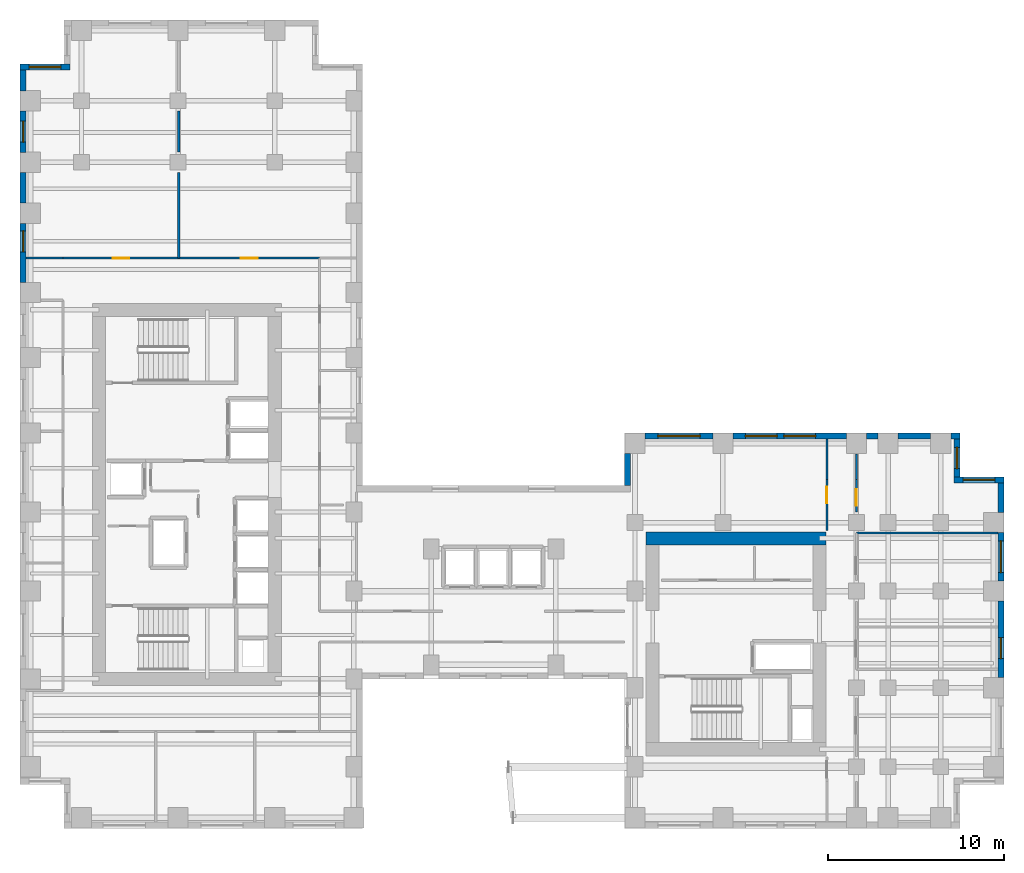
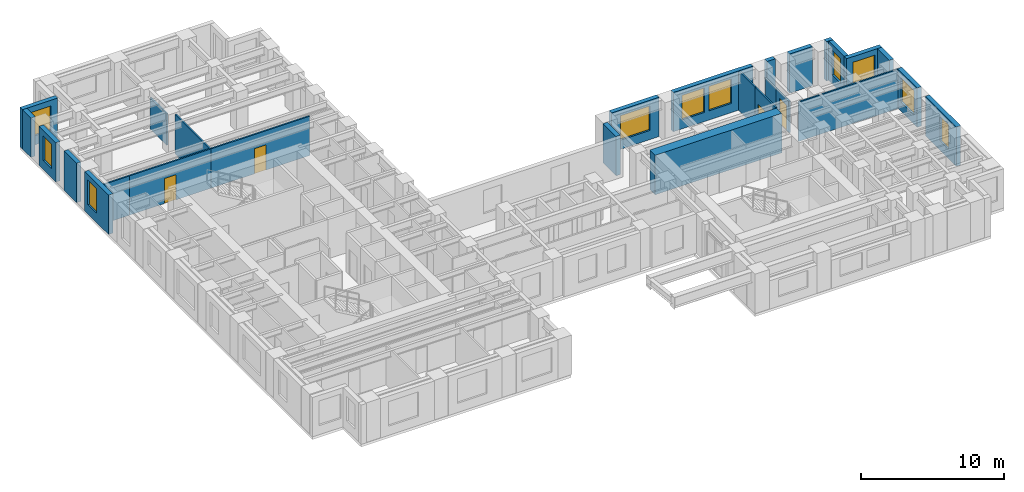
# One storey, part 11 of 14: 27 walls, 10 windows, 4 doors, 14 openings.
"""IFC4 building model written with IfcOpenShell, lengths in metres."""

from ifc_helpers import new_model, si_unit, direction, frame, frame_2d, origin, place, context, subcontext, project, spatial, rectangle, extrude, source, transform, mapped, material, layer, layer_set, type_object, element, fill, save


model = new_model("IFC4")

# Units and contexts
model_context = context("Model", 3, precision=1e-05, world=origin(), true_north=direction((0.0, 1.0)))
body_context = subcontext(model_context, "Body", "Model", "MODEL_VIEW")
ifc_project = project(units=[si_unit("LENGTHUNIT", "METRE"), si_unit("AREAUNIT", "SQUARE_METRE"), si_unit("VOLUMEUNIT", "CUBIC_METRE"), si_unit("PLANEANGLEUNIT", "RADIAN"), si_unit("MASSUNIT", "GRAM", prefix="KILO")], contexts=[model_context])

# Site, building, storey
site_placement = place(None, origin())
site = spatial("IfcSite", under=ifc_project, at=site_placement, CompositionType="ELEMENT")
building_placement = place(site_placement, origin())
building = spatial("IfcBuilding", under=site, at=building_placement, Name="Kharzan Plaza Tower", CompositionType="ELEMENT")
storey_placement = place(building_placement, frame((0.0, 0.0, 131.39990234375)))
storey = spatial("IfcBuildingStorey", under=building, at=storey_placement, Name="L35", CompositionType="ELEMENT", Elevation=131.39990234375)

# Wall, opening, window
ifc_material_1 = material(Name="Concrete C40/50", Category="concrete")
ifc_layer_1 = layer(ifc_material_1, 0.35009765625)
ifc_layer_set_1 = layer_set([ifc_layer_1], Name="Concrete C40/50")
wall_type_1 = type_object("IfcWallType", Name="WL-EXT-MAS-Z2", PredefinedType="SOLIDWALL", material=ifc_layer_set_1)
wall_1_placement = place(storey_placement, frame((2.85009765625, 43.324951171875, 0.0), z_axis=(0.0, 0.0, 1.0), x_axis=(-1.0, 0.0, 0.0)))
wall_1 = element("IfcWall", 1, at=wall_1_placement, inside=storey, type_object=wall_type_1, Name="L35 Masonry-Frame Exterior Wall 15", PredefinedType="SOLIDWALL", context=body_context, shape_type="SweptSolid", body=[
    extrude(rectangle(XDim=2.85009765625, YDim=0.35009765625, at=frame_2d((1.425048828125, 0.0))), origin(), (0.0, 0.0, 1.0), 3.364990234375),
])
opening_1_placement = place(wall_1_placement, frame((0.52490234375, 0.0, 0.780029296875)))
opening_1 = element("IfcOpeningElement", 2, at=opening_1_placement, cuts=wall_1, Name="Opening W1", PredefinedType="OPENING", context=body_context, shape_type="SweptSolid", body=[
    extrude(rectangle(XDim=1.800048828125, YDim=2.10009765625, at=frame_2d((0.89990234375, 1.050048828125))), frame((0.0, 0.18505859375, 0.0), z_axis=(0.0, -1.0, 0.0), x_axis=(1.0, 0.0, 0.0)), (0.0, 0.0, 1.0), 0.3701171875),
])
ifc_material_2 = material(Name="Low-E Double Glazing", Category="glass")
window_type_1 = type_object("IfcWindowType", Name="WN-REC-1800x2100", PartitioningType="SINGLE_PANEL", PredefinedType="WINDOW", material=ifc_material_2)
shared_shape_1 = source(origin(), body_context, "Body", "SweptSolid", [
    extrude(rectangle(XDim=1.800048828125, YDim=2.10009765625, at=frame_2d((0.89990234375, 1.050048828125))), frame((0.0, 0.030029296875, 0.0), z_axis=(0.0, -1.0, 0.0), x_axis=(1.0, 0.0, 0.0)), (0.0, 0.0, 1.0), 0.06005859375),
])
window_1_placement = place(opening_1_placement, origin())
window_1 = element("IfcWindow", 3, at=window_1_placement, inside=storey, type_object=window_type_1, Name="L35 Recessed Solar-Control Window 15-1", OverallHeight=2.10009765625, OverallWidth=1.800048828125, PartitioningType="SINGLE_PANEL", PredefinedType="WINDOW", context=body_context, shape_type="MappedRepresentation", body=[
    mapped(shared_shape_1, transform((0.0, 0.0, 0.0), x_axis=(1.0, 0.0, 0.0), y_axis=(0.0, 1.0, 0.0), z_axis=(0.0, 0.0, 1.0))),
])
fill(opening_1, window_1)

wall_2_placement = place(storey_placement, frame((0.175048828125, 40.826904296875, 0.0), z_axis=(0.0, 0.0, 1.0), x_axis=(0.0, -1.0, 0.0)))
wall_2 = element("IfcWall", 4, at=wall_2_placement, inside=storey, type_object=wall_type_1, Name="L35 Masonry-Frame Exterior Wall 17", PredefinedType="SOLIDWALL", context=body_context, shape_type="SweptSolid", body=[
    extrude(rectangle(XDim=2.35400390625, YDim=0.35009765625, at=frame_2d((1.177001953125, 0.0))), origin(), (0.0, 0.0, 1.0), 3.364990234375),
])
opening_2_placement = place(wall_2_placement, frame((0.576904296875, 0.0, 0.780029296875)))
opening_2 = element("IfcOpeningElement", 5, at=opening_2_placement, cuts=wall_2, Name="Opening W3", PredefinedType="OPENING", context=body_context, shape_type="SweptSolid", body=[
    extrude(rectangle(XDim=1.199951171875, YDim=2.10009765625, at=frame_2d((0.60009765625, 1.050048828125))), frame((0.0, 0.18505859375, 0.0), z_axis=(0.0, -1.0, 0.0), x_axis=(1.0, 0.0, 0.0)), (0.0, 0.0, 1.0), 0.3701171875),
])
window_type_2 = type_object("IfcWindowType", Name="WN-REC-1200x2100", PartitioningType="SINGLE_PANEL", PredefinedType="WINDOW", material=ifc_material_2)
shared_shape_2 = source(origin(), body_context, "Body", "SweptSolid", [
    extrude(rectangle(XDim=1.199951171875, YDim=2.10009765625, at=frame_2d((0.60009765625, 1.050048828125))), frame((0.0, 0.030029296875, 0.0), z_axis=(0.0, -1.0, 0.0), x_axis=(1.0, 0.0, 0.0)), (0.0, 0.0, 1.0), 0.06005859375),
])
window_2_placement = place(opening_2_placement, origin())
window_2 = element("IfcWindow", 6, at=window_2_placement, inside=storey, type_object=window_type_2, Name="L35 Recessed Solar-Control Window 17-1", OverallHeight=2.10009765625, OverallWidth=1.199951171875, PartitioningType="SINGLE_PANEL", PredefinedType="WINDOW", context=body_context, shape_type="MappedRepresentation", body=[
    mapped(shared_shape_2, transform((0.0, 0.0, 0.0), x_axis=(1.0, 0.0, 0.0), y_axis=(0.0, 1.0, 0.0), z_axis=(0.0, 0.0, 1.0))),
])
fill(opening_2, window_2)

wall_3_placement = place(storey_placement, frame((0.175048828125, 34.427001953125, 0.0), z_axis=(0.0, 0.0, 1.0), x_axis=(0.0, -1.0, 0.0)))
wall_3 = element("IfcWall", 7, at=wall_3_placement, inside=storey, type_object=wall_type_1, Name="L35 Masonry-Frame Exterior Wall 19", PredefinedType="SOLIDWALL", context=body_context, shape_type="SweptSolid", body=[
    extrude(rectangle(XDim=3.35400390625, YDim=0.35009765625, at=frame_2d((1.677001953125, 0.0))), origin(), (0.0, 0.0, 1.0), 3.364990234375),
])
opening_3_placement = place(wall_3_placement, frame((0.423583984375, 0.0, 0.780029296875)))
opening_3 = element("IfcOpeningElement", 8, at=opening_3_placement, cuts=wall_3, Name="Opening W3", PredefinedType="OPENING", context=body_context, shape_type="SweptSolid", body=[
    extrude(rectangle(XDim=1.199951171875, YDim=2.10009765625, at=frame_2d((0.60009765625, 1.050048828125))), frame((0.0, 0.18505859375, 0.0), z_axis=(0.0, -1.0, 0.0), x_axis=(1.0, 0.0, 0.0)), (0.0, 0.0, 1.0), 0.3701171875),
])
window_3_placement = place(opening_3_placement, origin())
window_3 = element("IfcWindow", 9, at=window_3_placement, inside=storey, type_object=window_type_2, Name="L35 Recessed Solar-Control Window 19-1", OverallHeight=2.10009765625, OverallWidth=1.199951171875, PartitioningType="SINGLE_PANEL", PredefinedType="WINDOW", context=body_context, shape_type="MappedRepresentation", body=[
    mapped(shared_shape_2, transform((0.0, 0.0, 0.0), x_axis=(1.0, 0.0, 0.0), y_axis=(0.0, 1.0, 0.0), z_axis=(0.0, 0.0, 1.0))),
])
fill(opening_3, window_3)

wall_4_placement = place(storey_placement, frame((55.824951171875, 8.572998046875, 0.0), z_axis=(0.0, 0.0, 1.0), x_axis=(0.0, 1.0, 0.0)))
wall_4 = element("IfcWall", 10, at=wall_4_placement, inside=storey, type_object=wall_type_1, Name="L35 Masonry-Frame Exterior Wall 48", PredefinedType="SOLIDWALL", context=body_context, shape_type="SweptSolid", body=[
    extrude(rectangle(XDim=4.35400390625, YDim=0.35009765625, at=frame_2d((2.177001953125, 0.0))), origin(), (0.0, 0.0, 1.0), 3.364990234375),
])
opening_4_placement = place(wall_4_placement, frame((1.076904296875, 0.0, 0.780029296875)))
opening_4 = element("IfcOpeningElement", 11, at=opening_4_placement, cuts=wall_4, Name="Opening W3", PredefinedType="OPENING", context=body_context, shape_type="SweptSolid", body=[
    extrude(rectangle(XDim=1.199951171875, YDim=2.10009765625, at=frame_2d((0.60009765625, 1.050048828125))), frame((0.0, 0.18505859375, 0.0), z_axis=(0.0, -1.0, 0.0), x_axis=(1.0, 0.0, 0.0)), (0.0, 0.0, 1.0), 0.3701171875),
])
window_4_placement = place(opening_4_placement, origin())
window_4 = element("IfcWindow", 12, at=window_4_placement, inside=storey, type_object=window_type_2, Name="L35 Recessed Solar-Control Window 48-1", OverallHeight=2.10009765625, OverallWidth=1.199951171875, PartitioningType="SINGLE_PANEL", PredefinedType="WINDOW", context=body_context, shape_type="MappedRepresentation", body=[
    mapped(shared_shape_2, transform((0.0, 0.0, 0.0), x_axis=(1.0, 0.0, 0.0), y_axis=(0.0, 1.0, 0.0), z_axis=(0.0, 0.0, 1.0))),
])
fill(opening_4, window_4)

wall_5_placement = place(storey_placement, frame((55.824951171875, 14.072998046875, 0.0), z_axis=(0.0, 0.0, 1.0), x_axis=(0.0, 1.0, 0.0)))
wall_5 = element("IfcWall", 13, at=wall_5_placement, inside=storey, type_object=wall_type_1, Name="L35 Masonry-Frame Exterior Wall 49", PredefinedType="SOLIDWALL", context=body_context, shape_type="SweptSolid", body=[
    extrude(rectangle(XDim=2.75390625, YDim=0.35009765625, at=frame_2d((1.376953125, 0.0))), origin(), (0.0, 0.0, 1.0), 3.364990234375),
])
opening_5_placement = place(wall_5_placement, frame((0.47705078125, 0.0, 0.780029296875)))
opening_5 = element("IfcOpeningElement", 14, at=opening_5_placement, cuts=wall_5, Name="Opening W1", PredefinedType="OPENING", context=body_context, shape_type="SweptSolid", body=[
    extrude(rectangle(XDim=1.800048828125, YDim=2.10009765625, at=frame_2d((0.89990234375, 1.050048828125))), frame((0.0, 0.18505859375, 0.0), z_axis=(0.0, -1.0, 0.0), x_axis=(1.0, 0.0, 0.0)), (0.0, 0.0, 1.0), 0.3701171875),
])
window_5_placement = place(opening_5_placement, origin())
window_5 = element("IfcWindow", 15, at=window_5_placement, inside=storey, type_object=window_type_1, Name="L35 Recessed Solar-Control Window 49-1", OverallHeight=2.10009765625, OverallWidth=1.800048828125, PartitioningType="SINGLE_PANEL", PredefinedType="WINDOW", context=body_context, shape_type="MappedRepresentation", body=[
    mapped(shared_shape_1, transform((0.0, 0.0, 0.0), x_axis=(1.0, 0.0, 0.0), y_axis=(0.0, 1.0, 0.0), z_axis=(0.0, 0.0, 1.0))),
])
fill(opening_5, window_5)

wall_6_placement = place(storey_placement, frame((56.0, 19.824951171875, 0.0), z_axis=(0.0, 0.0, 1.0), x_axis=(-1.0, 0.0, 0.0)))
wall_6 = element("IfcWall", 16, at=wall_6_placement, inside=storey, type_object=wall_type_1, Name="L35 Masonry-Frame Exterior Wall 51", PredefinedType="SOLIDWALL", context=body_context, shape_type="SweptSolid", body=[
    extrude(rectangle(XDim=2.85009765625, YDim=0.35009765625, at=frame_2d((1.425048828125, 0.0))), origin(), (0.0, 0.0, 1.0), 3.364990234375),
])
opening_6_placement = place(wall_6_placement, frame((0.52490234375, 0.0, 0.780029296875)))
opening_6 = element("IfcOpeningElement", 17, at=opening_6_placement, cuts=wall_6, Name="Opening W1", PredefinedType="OPENING", context=body_context, shape_type="SweptSolid", body=[
    extrude(rectangle(XDim=1.800048828125, YDim=2.10009765625, at=frame_2d((0.89990234375, 1.050048828125))), frame((0.0, 0.18505859375, 0.0), z_axis=(0.0, -1.0, 0.0), x_axis=(1.0, 0.0, 0.0)), (0.0, 0.0, 1.0), 0.3701171875),
])
window_6_placement = place(opening_6_placement, origin())
window_6 = element("IfcWindow", 18, at=window_6_placement, inside=storey, type_object=window_type_1, Name="L35 Recessed Solar-Control Window 51-1", OverallHeight=2.10009765625, OverallWidth=1.800048828125, PartitioningType="SINGLE_PANEL", PredefinedType="WINDOW", context=body_context, shape_type="MappedRepresentation", body=[
    mapped(shared_shape_1, transform((0.0, 0.0, 0.0), x_axis=(1.0, 0.0, 0.0), y_axis=(0.0, 1.0, 0.0), z_axis=(0.0, 0.0, 1.0))),
])
fill(opening_6, window_6)

wall_7_placement = place(storey_placement, frame((53.324951171875, 19.998046875, 0.0), z_axis=(0.0, 0.0, 1.0), x_axis=(0.0, 1.0, 0.0)))
wall_7 = element("IfcWall", 19, at=wall_7_placement, inside=storey, type_object=wall_type_1, Name="L35 Masonry-Frame Exterior Wall 52", PredefinedType="SOLIDWALL", context=body_context, shape_type="SweptSolid", body=[
    extrude(rectangle(XDim=2.154052734375, YDim=0.35009765625, at=frame_2d((1.0771484375, 0.0))), origin(), (0.0, 0.0, 1.0), 3.364990234375),
])
opening_7_placement = place(wall_7_placement, frame((0.47705078125, 0.0, 0.780029296875)))
opening_7 = element("IfcOpeningElement", 20, at=opening_7_placement, cuts=wall_7, Name="Opening W3", PredefinedType="OPENING", context=body_context, shape_type="SweptSolid", body=[
    extrude(rectangle(XDim=1.199951171875, YDim=2.10009765625, at=frame_2d((0.60009765625, 1.050048828125))), frame((0.0, 0.18505859375, 0.0), z_axis=(0.0, -1.0, 0.0), x_axis=(1.0, 0.0, 0.0)), (0.0, 0.0, 1.0), 0.3701171875),
])
window_7_placement = place(opening_7_placement, origin())
window_7 = element("IfcWindow", 21, at=window_7_placement, inside=storey, type_object=window_type_2, Name="L35 Recessed Solar-Control Window 52-1", OverallHeight=2.10009765625, OverallWidth=1.199951171875, PartitioningType="SINGLE_PANEL", PredefinedType="WINDOW", context=body_context, shape_type="MappedRepresentation", body=[
    mapped(shared_shape_2, transform((0.0, 0.0, 0.0), x_axis=(1.0, 0.0, 0.0), y_axis=(0.0, 1.0, 0.0), z_axis=(0.0, 0.0, 1.0))),
])
fill(opening_7, window_7)

# Wall, openings, windows
wall_8_placement = place(storey_placement, frame((47.027099609375, 22.324951171875, 0.0), z_axis=(0.0, 0.0, 1.0), x_axis=(-1.0, 0.0, 0.0)))
wall_8 = element("IfcWall", 22, at=wall_8_placement, inside=storey, type_object=wall_type_1, Name="L35 Masonry-Frame Exterior Wall 56", PredefinedType="SOLIDWALL", context=body_context, shape_type="SweptSolid", body=[
    extrude(rectangle(XDim=6.4541015625, YDim=0.35009765625, at=frame_2d((3.22705078125, 0.0))), origin(), (0.0, 0.0, 1.0), 3.364990234375),
])
opening_8_placement = place(wall_8_placement, frame((1.749267578125, 0.0, 0.780029296875)))
opening_8 = element("IfcOpeningElement", 23, at=opening_8_placement, cuts=wall_8, Name="Opening W1", PredefinedType="OPENING", context=body_context, shape_type="SweptSolid", body=[
    extrude(rectangle(XDim=1.800048828125, YDim=2.10009765625, at=frame_2d((0.89990234375, 1.050048828125))), frame((0.0, 0.18505859375, 0.0), z_axis=(0.0, -1.0, 0.0), x_axis=(1.0, 0.0, 0.0)), (0.0, 0.0, 1.0), 0.3701171875),
])
opening_9_placement = place(wall_8_placement, frame((3.941650390625, 0.0, 0.780029296875)))
opening_9 = element("IfcOpeningElement", 24, at=opening_9_placement, cuts=wall_8, Name="Opening W1", PredefinedType="OPENING", context=body_context, shape_type="SweptSolid", body=[
    extrude(rectangle(XDim=1.800048828125, YDim=2.10009765625, at=frame_2d((0.89990234375, 1.050048828125))), frame((0.0, 0.18505859375, 0.0), z_axis=(0.0, -1.0, 0.0), x_axis=(1.0, 0.0, 0.0)), (0.0, 0.0, 1.0), 0.3701171875),
])
window_8_placement = place(opening_8_placement, origin())
window_8 = element("IfcWindow", 25, at=window_8_placement, inside=storey, type_object=window_type_1, Name="L35 Recessed Solar-Control Window 56-1", OverallHeight=2.10009765625, OverallWidth=1.800048828125, PartitioningType="SINGLE_PANEL", PredefinedType="WINDOW", context=body_context, shape_type="MappedRepresentation", body=[
    mapped(shared_shape_1, transform((0.0, 0.0, 0.0), x_axis=(1.0, 0.0, 0.0), y_axis=(0.0, 1.0, 0.0), z_axis=(0.0, 0.0, 1.0))),
])
fill(opening_8, window_8)
window_9_placement = place(opening_9_placement, origin())
window_9 = element("IfcWindow", 26, at=window_9_placement, inside=storey, type_object=window_type_1, Name="L35 Recessed Solar-Control Window 56-2", OverallHeight=2.10009765625, OverallWidth=1.800048828125, PartitioningType="SINGLE_PANEL", PredefinedType="WINDOW", context=body_context, shape_type="MappedRepresentation", body=[
    mapped(shared_shape_1, transform((0.0, 0.0, 0.0), x_axis=(1.0, 0.0, 0.0), y_axis=(0.0, 1.0, 0.0), z_axis=(0.0, 0.0, 1.0))),
])
fill(opening_9, window_9)

# Wall, opening, window
wall_9_placement = place(storey_placement, frame((39.427001953125, 22.324951171875, 0.0), z_axis=(0.0, 0.0, 1.0), x_axis=(-1.0, 0.0, 0.0)))
wall_9 = element("IfcWall", 27, at=wall_9_placement, inside=storey, type_object=wall_type_1, Name="L35 Masonry-Frame Exterior Wall 57", PredefinedType="SOLIDWALL", context=body_context, shape_type="SweptSolid", body=[
    extrude(rectangle(XDim=3.85400390625, YDim=0.35009765625, at=frame_2d((1.927001953125, 0.0))), origin(), (0.0, 0.0, 1.0), 3.364990234375),
])
opening_10_placement = place(wall_9_placement, frame((0.72705078125, 0.0, 0.780029296875)))
opening_10 = element("IfcOpeningElement", 28, at=opening_10_placement, cuts=wall_9, Name="Opening W2", PredefinedType="OPENING", context=body_context, shape_type="SweptSolid", body=[
    extrude(rectangle(XDim=2.39990234375, YDim=2.10009765625, at=frame_2d((1.199951171875, 1.050048828125))), frame((0.0, 0.18505859375, 0.0), z_axis=(0.0, -1.0, 0.0), x_axis=(1.0, 0.0, 0.0)), (0.0, 0.0, 1.0), 0.3701171875),
])
window_type_3 = type_object("IfcWindowType", Name="WN-REC-2400x2100", PartitioningType="SINGLE_PANEL", PredefinedType="WINDOW", material=ifc_material_2)
shared_shape_3 = source(origin(), body_context, "Body", "SweptSolid", [
    extrude(rectangle(XDim=2.39990234375, YDim=2.10009765625, at=frame_2d((1.199951171875, 1.050048828125))), frame((0.0, 0.030029296875, 0.0), z_axis=(0.0, -1.0, 0.0), x_axis=(1.0, 0.0, 0.0)), (0.0, 0.0, 1.0), 0.06005859375),
])
window_10_placement = place(opening_10_placement, origin())
window_10 = element("IfcWindow", 29, at=window_10_placement, inside=storey, type_object=window_type_3, Name="L35 Wide Recessed Solar-Control Window 57-1", OverallHeight=2.10009765625, OverallWidth=2.39990234375, PartitioningType="SINGLE_PANEL", PredefinedType="WINDOW", context=body_context, shape_type="MappedRepresentation", body=[
    mapped(shared_shape_3, transform((0.0, 0.0, 0.0), x_axis=(1.0, 0.0, 0.0), y_axis=(0.0, 1.0, 0.0), z_axis=(0.0, 0.0, 1.0))),
])
fill(opening_10, window_10)

# Wall, opening, door
ifc_material_3 = material(Name="Fire-Rated Gypsum Board Partition", Category="gypsum")
ifc_layer_2 = layer(ifc_material_3, 0.125)
ifc_layer_set_2 = layer_set([ifc_layer_2], Name="Fire-Rated Gypsum Board Partition")
wall_type_2 = type_object("IfcWallType", Name="WL-INT-PART-125", PredefinedType="PARTITIONING", material=ifc_layer_set_2)
wall_10_placement = place(storey_placement, frame((47.60009765625, 17.989990234375, 0.0), z_axis=(0.0, 0.0, 1.0), x_axis=(0.0, 1.0, 0.0)))
wall_10 = element("IfcWall", 30, at=wall_10_placement, inside=storey, type_object=wall_type_2, Name="L35 Interior Partition SH-B1W2", PredefinedType="PARTITIONING", context=body_context, shape_type="SweptSolid", body=[
    extrude(rectangle(XDim=1.860107421875, YDim=0.125, at=frame_2d((0.93017578125, 0.0))), origin(), (0.0, 0.0, 1.0), 2.677001953125),
])
opening_11_placement = place(wall_10_placement, frame((0.36328125, 0.0, 0.0)))
opening_11 = element("IfcOpeningElement", 31, at=opening_11_placement, cuts=wall_10, Name="Opening OD1", PredefinedType="OPENING", context=body_context, shape_type="SweptSolid", body=[
    extrude(rectangle(XDim=0.949951171875, YDim=2.14990234375, at=frame_2d((0.47509765625, 1.074951171875))), frame((0.0, 0.072509765625, 0.0), z_axis=(0.0, -1.0, 0.0), x_axis=(1.0, 0.0, 0.0)), (0.0, 0.0, 1.0), 0.14501953125),
])
ifc_material_4 = material(Name="Acoustic Solid-Core Stained Oak", Category="timber")
door_type = type_object("IfcDoorType", Name="DR-OFF-SINGLE", OperationType="NOTDEFINED", PredefinedType="DOOR", material=ifc_material_4)
shared_shape_4 = source(origin(), body_context, "Body", "SweptSolid", [
    extrude(rectangle(XDim=0.949951171875, YDim=2.14990234375, at=frame_2d((0.47509765625, 1.074951171875))), frame((0.0, 0.02490234375, 0.0), z_axis=(0.0, -1.0, 0.0), x_axis=(1.0, 0.0, 0.0)), (0.0, 0.0, 1.0), 0.050048828125),
])
door_1_placement = place(opening_11_placement, origin())
door_1 = element("IfcDoor", 32, at=door_1_placement, inside=storey, type_object=door_type, Name="L35 Wing B North Office Door", OperationType="SINGLE_SWING_RIGHT", OverallHeight=2.14990234375, OverallWidth=0.949951171875, PredefinedType="DOOR", context=body_context, shape_type="MappedRepresentation", body=[
    mapped(shared_shape_4, transform((0.0, 0.0, 0.0), x_axis=(1.0, 0.0, 0.0), y_axis=(0.0, 1.0, 0.0), z_axis=(0.0, 0.0, 1.0))),
])
fill(opening_11, door_1)

wall_11_placement = place(storey_placement, frame((2.449951171875, 32.449951171875, 0.0), z_axis=(0.0, 0.0, 1.0), x_axis=(1.0, 0.0, 0.0)))
wall_11 = element("IfcWall", 33, at=wall_11_placement, inside=storey, type_object=wall_type_2, Name="L35 Interior Partition SH-NN-1", PredefinedType="PARTITIONING", context=body_context, shape_type="SweptSolid", body=[
    extrude(rectangle(XDim=6.589111328125, YDim=0.125, at=frame_2d((3.29443359375, 0.0))), origin(), (0.0, 0.0, 1.0), 3.364990234375),
])
opening_12_placement = place(wall_11_placement, frame((2.819580078125, 0.0, 0.0)))
opening_12 = element("IfcOpeningElement", 34, at=opening_12_placement, cuts=wall_11, Name="Opening OD1", PredefinedType="OPENING", context=body_context, shape_type="SweptSolid", body=[
    extrude(rectangle(XDim=0.949951171875, YDim=2.14990234375, at=frame_2d((0.47509765625, 1.074951171875))), frame((0.0, 0.072509765625, 0.0), z_axis=(0.0, -1.0, 0.0), x_axis=(1.0, 0.0, 0.0)), (0.0, 0.0, 1.0), 0.14501953125),
])
door_2_placement = place(opening_12_placement, origin())
door_2 = element("IfcDoor", 35, at=door_2_placement, inside=storey, type_object=door_type, Name="L35 Systems Planning Office Door", OperationType="SINGLE_SWING_LEFT", OverallHeight=2.14990234375, OverallWidth=0.949951171875, PredefinedType="DOOR", context=body_context, shape_type="MappedRepresentation", body=[
    mapped(shared_shape_4, transform((0.0, 0.0, 0.0), x_axis=(1.0, 0.0, 0.0), y_axis=(0.0, 1.0, 0.0), z_axis=(0.0, 0.0, 1.0))),
])
fill(opening_12, door_2)

wall_12_placement = place(storey_placement, frame((9.0390625, 32.449951171875, 0.0), z_axis=(0.0, 0.0, 1.0), x_axis=(1.0, 0.0, 0.0)))
wall_12 = element("IfcWall", 36, at=wall_12_placement, inside=storey, type_object=wall_type_2, Name="L35 Interior Partition SH-NN-2", PredefinedType="PARTITIONING", context=body_context, shape_type="SweptSolid", body=[
    extrude(rectangle(XDim=8.010986328125, YDim=0.125, at=frame_2d((4.00537109375, 0.0))), origin(), (0.0, 0.0, 1.0), 3.364990234375),
])
opening_13_placement = place(wall_12_placement, frame((3.530517578125, 0.0, 0.0)))
opening_13 = element("IfcOpeningElement", 37, at=opening_13_placement, cuts=wall_12, Name="Opening OD1", PredefinedType="OPENING", context=body_context, shape_type="SweptSolid", body=[
    extrude(rectangle(XDim=0.949951171875, YDim=2.14990234375, at=frame_2d((0.47509765625, 1.074951171875))), frame((0.0, 0.072509765625, 0.0), z_axis=(0.0, -1.0, 0.0), x_axis=(1.0, 0.0, 0.0)), (0.0, 0.0, 1.0), 0.14501953125),
])
door_3_placement = place(opening_13_placement, origin())
door_3 = element("IfcDoor", 38, at=door_3_placement, inside=storey, type_object=door_type, Name="L35 Open Office Workspace Door", OperationType="SINGLE_SWING_RIGHT", OverallHeight=2.14990234375, OverallWidth=0.949951171875, PredefinedType="DOOR", context=body_context, shape_type="MappedRepresentation", body=[
    mapped(shared_shape_4, transform((0.0, 0.0, 0.0), x_axis=(1.0, 0.0, 0.0), y_axis=(0.0, 1.0, 0.0), z_axis=(0.0, 0.0, 1.0))),
])
fill(opening_13, door_3)

wall_13_placement = place(storey_placement, frame((45.919921875, 16.949951171875, 0.0), z_axis=(0.0, 0.0, 1.0), x_axis=(0.0, 1.0, 0.0)))
wall_13 = element("IfcWall", 39, at=wall_13_placement, inside=storey, type_object=wall_type_2, Name="L35 Interior Partition SH-RBNE", PredefinedType="PARTITIONING", context=body_context, shape_type="SweptSolid", body=[
    extrude(rectangle(XDim=2.900146484375, YDim=0.125, at=frame_2d((1.4501953125, 0.0))), origin(), (0.0, 0.0, 1.0), 3.364990234375),
])
opening_14_placement = place(wall_13_placement, frame((1.54296875, 0.0, 0.0)))
opening_14 = element("IfcOpeningElement", 40, at=opening_14_placement, cuts=wall_13, Name="Opening OD1", PredefinedType="OPENING", context=body_context, shape_type="SweptSolid", body=[
    extrude(rectangle(XDim=0.949951171875, YDim=2.14990234375, at=frame_2d((0.47509765625, 1.074951171875))), frame((0.0, 0.072509765625, 0.0), z_axis=(0.0, -1.0, 0.0), x_axis=(1.0, 0.0, 0.0)), (0.0, 0.0, 1.0), 0.14501953125),
])
door_4_placement = place(opening_14_placement, origin())
door_4 = element("IfcDoor", 41, at=door_4_placement, inside=storey, type_object=door_type, Name="L35 Wing B North Studio Door", OperationType="SINGLE_SWING_RIGHT", OverallHeight=2.14990234375, OverallWidth=0.949951171875, PredefinedType="DOOR", context=body_context, shape_type="MappedRepresentation", body=[
    mapped(shared_shape_4, transform((0.0, 0.0, 0.0), x_axis=(1.0, 0.0, 0.0), y_axis=(0.0, 1.0, 0.0), z_axis=(0.0, 0.0, 1.0))),
])
fill(opening_14, door_4)

# Walls
shared_shape_5 = source(origin(), body_context, "Body", "SweptSolid", [
    extrude(rectangle(XDim=2.2978515625, YDim=0.125, at=frame_2d((1.14892578125, 0.0))), origin(), (0.0, 0.0, 1.0), 3.364990234375),
])
wall_14_placement = place(storey_placement, frame((45.919921875, 19.85009765625, 0.0), z_axis=(0.0, 0.0, 1.0), x_axis=(0.0, 1.0, 0.0)))
element("IfcWall", 42, at=wall_14_placement, inside=storey, type_object=wall_type_2, Name="L35 Interior Partition SH-RBNE0", PredefinedType="PARTITIONING", context=body_context, shape_type="MappedRepresentation", body=[
    mapped(shared_shape_5, transform((0.0, 0.0, 0.0), x_axis=(1.0, 0.0, 0.0), y_axis=(0.0, 1.0, 0.0), z_axis=(0.0, 0.0, 1.0))),
])
shared_shape_6 = source(origin(), body_context, "Body", "SweptSolid", [
    extrude(rectangle(XDim=2.097900390625, YDim=0.125, at=frame_2d((1.048828125, 0.0))), origin(), (0.0, 0.0, 1.0), 3.364990234375),
])
wall_15_placement = place(storey_placement, frame((0.35205078125, 32.449951171875, 0.0), z_axis=(0.0, 0.0, 1.0), x_axis=(1.0, 0.0, 0.0)))
element("IfcWall", 43, at=wall_15_placement, inside=storey, type_object=wall_type_2, Name="L35 Interior Partition SH-NNW0", PredefinedType="PARTITIONING", context=body_context, shape_type="MappedRepresentation", body=[
    mapped(shared_shape_6, transform((0.0, 0.0, 0.0), x_axis=(1.0, 0.0, 0.0), y_axis=(0.0, 1.0, 0.0), z_axis=(0.0, 0.0, 1.0))),
])
ifc_material_5 = material(Name="Concrete C60/75", Category="concrete")
ifc_layer_3 = layer(ifc_material_5, 0.75)
ifc_layer_set_3 = layer_set([ifc_layer_3], Name="Concrete C60/75")
wall_type_3 = type_object("IfcWallType", Name="WL-CORE-750", PredefinedType="SHEAR", material=ifc_layer_set_3)
shared_shape_7 = source(origin(), body_context, "Body", "SweptSolid", [
    extrude(rectangle(XDim=10.25, YDim=0.75, at=frame_2d((5.125, 0.0))), origin(), (0.0, 0.0, 1.0), 3.380126953125),
])
wall_16_placement = place(storey_placement, frame((35.625, 16.5, 0.0), z_axis=(0.0, 0.0, 1.0), x_axis=(1.0, 0.0, 0.0)))
element("IfcWall", 44, at=wall_16_placement, inside=storey, type_object=wall_type_3, Name="L35 CORE-B north RC shear wall", PredefinedType="SHEAR", context=body_context, shape_type="MappedRepresentation", body=[
    mapped(shared_shape_7, transform((0.0, 0.0, 0.0), x_axis=(1.0, 0.0, 0.0), y_axis=(0.0, 1.0, 0.0), z_axis=(0.0, 0.0, 1.0))),
])
shared_shape_8 = source(origin(), body_context, "Body", "SweptSolid", [
    extrude(rectangle(XDim=1.17919921875, YDim=0.35009765625, at=frame_2d((0.589599609375, 0.0))), origin(), (0.0, 0.0, 1.0), 3.364990234375),
])
wall_17_placement = place(storey_placement, frame((0.175048828125, 43.152099609375, 0.0), z_axis=(0.0, 0.0, 1.0), x_axis=(0.0, -1.0, 0.0)))
element("IfcWall", 45, at=wall_17_placement, inside=storey, type_object=wall_type_1, Name="L35 Masonry-Frame Exterior Wall 16", PredefinedType="SOLIDWALL", context=body_context, shape_type="MappedRepresentation", body=[
    mapped(shared_shape_8, transform((0.0, 0.0, 0.0), x_axis=(1.0, 0.0, 0.0), y_axis=(0.0, 1.0, 0.0), z_axis=(0.0, 0.0, 1.0))),
])
shared_shape_9 = source(origin(), body_context, "Body", "SweptSolid", [
    extrude(rectangle(XDim=1.75390625, YDim=0.35009765625, at=frame_2d((0.876953125, 0.0))), origin(), (0.0, 0.0, 1.0), 3.364990234375),
])
wall_18_placement = place(storey_placement, frame((0.175048828125, 37.326904296875, 0.0), z_axis=(0.0, 0.0, 1.0), x_axis=(0.0, -1.0, 0.0)))
element("IfcWall", 46, at=wall_18_placement, inside=storey, type_object=wall_type_1, Name="L35 Masonry-Frame Exterior Wall 18", PredefinedType="SOLIDWALL", context=body_context, shape_type="MappedRepresentation", body=[
    mapped(shared_shape_9, transform((0.0, 0.0, 0.0), x_axis=(1.0, 0.0, 0.0), y_axis=(0.0, 1.0, 0.0), z_axis=(0.0, 0.0, 1.0))),
])
shared_shape_10 = source(origin(), body_context, "Body", "SweptSolid", [
    extrude(rectangle(XDim=0.65380859375, YDim=0.35009765625, at=frame_2d((0.326904296875, 0.0))), origin(), (0.0, 0.0, 1.0), 3.364990234375),
])
wall_19_placement = place(storey_placement, frame((48.826904296875, 22.324951171875, 0.0), z_axis=(0.0, 0.0, 1.0), x_axis=(-1.0, 0.0, 0.0)))
element("IfcWall", 47, at=wall_19_placement, inside=storey, type_object=wall_type_1, Name="L35 Masonry-Frame Exterior Wall 55", PredefinedType="SOLIDWALL", context=body_context, shape_type="MappedRepresentation", body=[
    mapped(shared_shape_10, transform((0.0, 0.0, 0.0), x_axis=(1.0, 0.0, 0.0), y_axis=(0.0, 1.0, 0.0), z_axis=(0.0, 0.0, 1.0))),
])
shared_shape_11 = source(origin(), body_context, "Body", "SweptSolid", [
    extrude(rectangle(XDim=1.85400390625, YDim=0.35009765625, at=frame_2d((0.927001953125, 0.0))), origin(), (0.0, 0.0, 1.0), 3.364990234375),
])
wall_20_placement = place(storey_placement, frame((51.826904296875, 22.324951171875, 0.0), z_axis=(0.0, 0.0, 1.0), x_axis=(-1.0, 0.0, 0.0)))
element("IfcWall", 48, at=wall_20_placement, inside=storey, type_object=wall_type_1, Name="L35 Masonry-Frame Exterior Wall 54", PredefinedType="SOLIDWALL", context=body_context, shape_type="MappedRepresentation", body=[
    mapped(shared_shape_11, transform((0.0, 0.0, 0.0), x_axis=(1.0, 0.0, 0.0), y_axis=(0.0, 1.0, 0.0), z_axis=(0.0, 0.0, 1.0))),
])
shared_shape_12 = source(origin(), body_context, "Body", "SweptSolid", [
    extrude(rectangle(XDim=0.527099609375, YDim=0.35009765625, at=frame_2d((0.263671875, 0.0))), origin(), (0.0, 0.0, 1.0), 3.364990234375),
])
wall_21_placement = place(storey_placement, frame((53.5, 22.324951171875, 0.0), z_axis=(0.0, 0.0, 1.0), x_axis=(-1.0, 0.0, 0.0)))
element("IfcWall", 49, at=wall_21_placement, inside=storey, type_object=wall_type_1, Name="L35 Masonry-Frame Exterior Wall 53", PredefinedType="SOLIDWALL", context=body_context, shape_type="MappedRepresentation", body=[
    mapped(shared_shape_12, transform((0.0, 0.0, 0.0), x_axis=(1.0, 0.0, 0.0), y_axis=(0.0, 1.0, 0.0), z_axis=(0.0, 0.0, 1.0))),
])
shared_shape_13 = source(origin(), body_context, "Body", "SweptSolid", [
    extrude(rectangle(XDim=1.67919921875, YDim=0.35009765625, at=frame_2d((0.839599609375, 0.0))), origin(), (0.0, 0.0, 1.0), 3.364990234375),
])
wall_22_placement = place(storey_placement, frame((55.824951171875, 17.972900390625, 0.0), z_axis=(0.0, 0.0, 1.0), x_axis=(0.0, 1.0, 0.0)))
element("IfcWall", 50, at=wall_22_placement, inside=storey, type_object=wall_type_1, Name="L35 Masonry-Frame Exterior Wall 50", PredefinedType="SOLIDWALL", context=body_context, shape_type="MappedRepresentation", body=[
    mapped(shared_shape_13, transform((0.0, 0.0, 0.0), x_axis=(1.0, 0.0, 0.0), y_axis=(0.0, 1.0, 0.0), z_axis=(0.0, 0.0, 1.0))),
])
shared_shape_14 = source(origin(), body_context, "Body", "SweptSolid", [
    extrude(rectangle(XDim=8.0478515625, YDim=0.125, at=frame_2d((4.02392578125, 0.0))), origin(), (0.0, 0.0, 1.0), 3.364990234375),
])
wall_23_placement = place(storey_placement, frame((47.60009765625, 16.800048828125, 0.0), z_axis=(0.0, 0.0, 1.0), x_axis=(1.0, 0.0, 0.0)))
element("IfcWall", 51, at=wall_23_placement, inside=storey, type_object=wall_type_2, Name="L35 Interior Partition SH-B1H-168", PredefinedType="PARTITIONING", context=body_context, shape_type="MappedRepresentation", body=[
    mapped(shared_shape_14, transform((0.0, 0.0, 0.0), x_axis=(1.0, 0.0, 0.0), y_axis=(0.0, 1.0, 0.0), z_axis=(0.0, 0.0, 1.0))),
])
shared_shape_15 = source(origin(), body_context, "Body", "SweptSolid", [
    extrude(rectangle(XDim=1.4599609375, YDim=0.125, at=frame_2d((0.72998046875, 0.0))), origin(), (0.0, 0.0, 1.0), 2.677001953125),
])
wall_24_placement = place(storey_placement, frame((47.60009765625, 19.85009765625, 0.0), z_axis=(0.0, 0.0, 1.0), x_axis=(0.0, 1.0, 0.0)))
element("IfcWall", 52, at=wall_24_placement, inside=storey, type_object=wall_type_2, Name="L35 Interior Partition SH-B1W2N", PredefinedType="PARTITIONING", context=body_context, shape_type="MappedRepresentation", body=[
    mapped(shared_shape_15, transform((0.0, 0.0, 0.0), x_axis=(1.0, 0.0, 0.0), y_axis=(0.0, 1.0, 0.0), z_axis=(0.0, 0.0, 1.0))),
])
shared_shape_16 = source(origin(), body_context, "Body", "SweptSolid", [
    extrude(rectangle(XDim=4.860107421875, YDim=0.125, at=frame_2d((2.43017578125, 0.0))), origin(), (0.0, 0.0, 1.0), 3.364990234375),
])
wall_25_placement = place(storey_placement, frame((9.0390625, 32.449951171875, 0.0), z_axis=(0.0, 0.0, 1.0), x_axis=(0.0, 1.0, 0.0)))
element("IfcWall", 53, at=wall_25_placement, inside=storey, type_object=wall_type_2, Name="L35 Interior Partition SH-NV-1-S1", PredefinedType="PARTITIONING", context=body_context, shape_type="MappedRepresentation", body=[
    mapped(shared_shape_16, transform((0.0, 0.0, 0.0), x_axis=(1.0, 0.0, 0.0), y_axis=(0.0, 1.0, 0.0), z_axis=(0.0, 0.0, 1.0))),
])
shared_shape_17 = source(origin(), body_context, "Body", "SweptSolid", [
    extrude(rectangle(XDim=2.320068359375, YDim=0.125, at=frame_2d((1.16015625, 0.0))), origin(), (0.0, 0.0, 1.0), 2.677001953125),
])
wall_26_placement = place(storey_placement, frame((9.0390625, 38.489990234375, 0.0), z_axis=(0.0, 0.0, 1.0), x_axis=(0.0, 1.0, 0.0)))
element("IfcWall", 54, at=wall_26_placement, inside=storey, type_object=wall_type_2, Name="L35 Interior Partition SH-NV-1-S2", PredefinedType="PARTITIONING", context=body_context, shape_type="MappedRepresentation", body=[
    mapped(shared_shape_17, transform((0.0, 0.0, 0.0), x_axis=(1.0, 0.0, 0.0), y_axis=(0.0, 1.0, 0.0), z_axis=(0.0, 0.0, 1.0))),
])
shared_shape_18 = source(origin(), body_context, "Body", "SweptSolid", [
    extrude(rectangle(XDim=1.828857421875, YDim=0.35009765625, at=frame_2d((0.91455078125, 0.0))), origin(), (0.0, 0.0, 1.0), 3.364990234375),
])
wall_27_placement = place(storey_placement, frame((34.574951171875, 21.326904296875, 0.0), z_axis=(0.0, 0.0, 1.0), x_axis=(0.0, -1.0, 0.0)))
element("IfcWall", 55, at=wall_27_placement, inside=storey, type_object=wall_type_1, Name="L35 Masonry-Frame Exterior Wall 58", PredefinedType="SOLIDWALL", context=body_context, shape_type="MappedRepresentation", body=[
    mapped(shared_shape_18, transform((0.0, 0.0, 0.0), x_axis=(1.0, 0.0, 0.0), y_axis=(0.0, 1.0, 0.0), z_axis=(0.0, 0.0, 1.0))),
])

save(model, "model.ifc")
